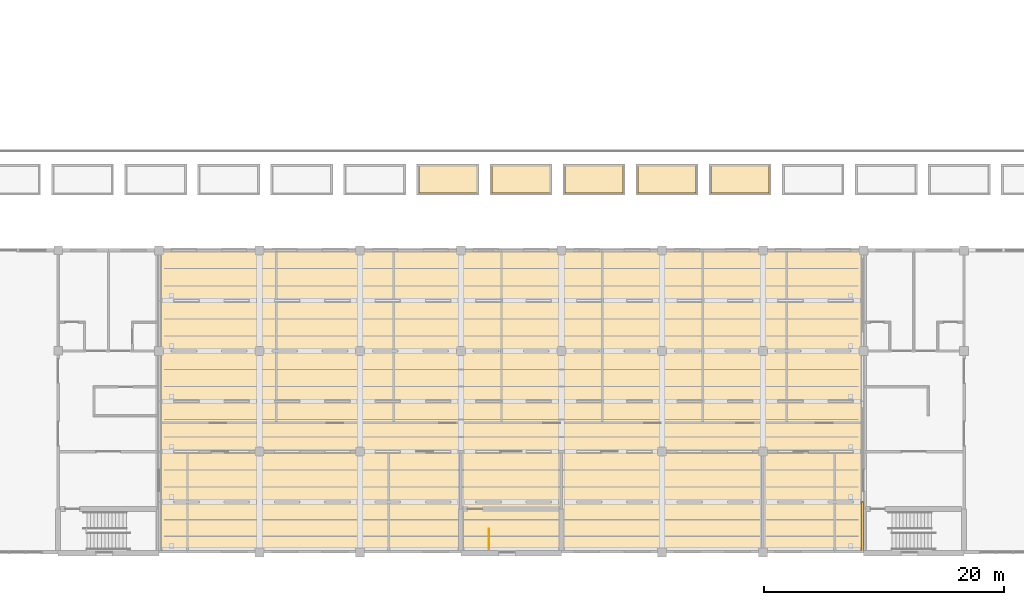
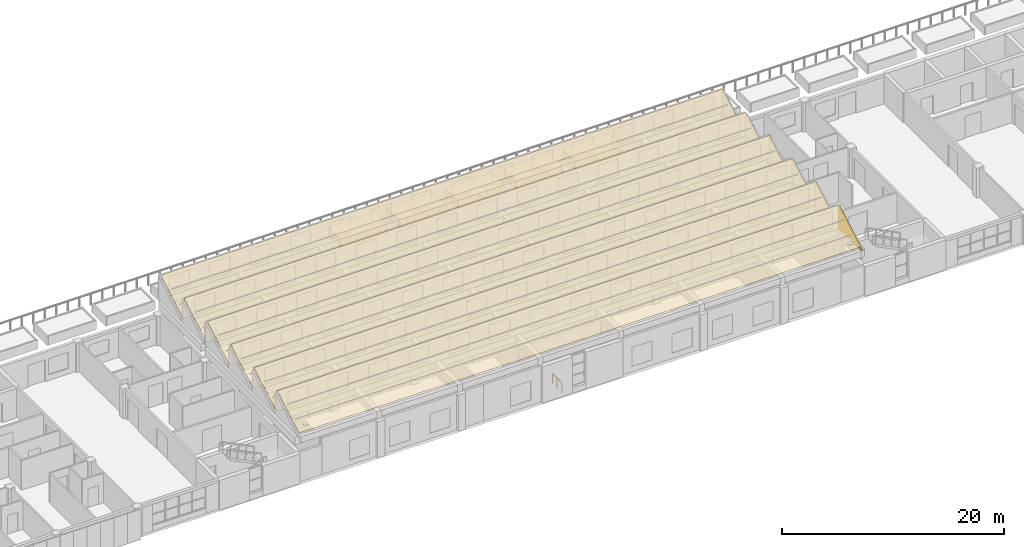
# One storey, part 56 of 61: 12 coverings, 1 railing.
"""IFC4 building model written with IfcOpenShell, lengths in metres."""

from ifc_helpers import new_model, si_unit, direction, frame, origin, origin_2d, place, context, subcontext, project, spatial, polyline, circle, outline, extrude, material, layer, layer_set, type_object, element, save


model = new_model("IFC4")

# Units and contexts
model_context = context("Model", 3, precision=1e-05, world=origin(), true_north=direction((0.0, 1.0)))
body_context = subcontext(model_context, "Body", "Model", "MODEL_VIEW")
ifc_project = project(units=[si_unit("LENGTHUNIT", "METRE"), si_unit("AREAUNIT", "SQUARE_METRE"), si_unit("VOLUMEUNIT", "CUBIC_METRE"), si_unit("PLANEANGLEUNIT", "RADIAN"), si_unit("MASSUNIT", "GRAM", prefix="KILO")], contexts=[model_context])

# Site, building, storey
site_placement = place(None, origin())
site = spatial("IfcSite", under=ifc_project, at=site_placement, CompositionType="ELEMENT")
building_placement = place(site_placement, origin())
building = spatial("IfcBuilding", under=site, at=building_placement, Name="Yavir Park General Hospital", CompositionType="ELEMENT")
storey_placement = place(building_placement, frame((0.0, 0.0, 15.300048828125)))
storey = spatial("IfcBuildingStorey", under=building, at=storey_placement, Name="L03", CompositionType="ELEMENT", Elevation=15.300048828125)

# Coverings
ifc_material_1 = material(Name="Glass-fibre reinforced concrete", Category="concrete")
ifc_layer_1 = layer(ifc_material_1, 0.14990234375)
ifc_layer_set_1 = layer_set([ifc_layer_1], Name="Glass-fibre reinforced concrete")
covering_type_1 = type_object("IfcCoveringType", Name="Gable end GFRC panel 150", PredefinedType="CLADDING", material=ifc_layer_set_1)
covering_1_placement = place(storey_placement, frame((100.800048828125, 0.0, 4.846923828125), z_axis=(1.0, 0.0, 0.0), x_axis=(0.0, 1.0, 0.0)))
element("IfcCovering", 1, at=covering_1_placement, inside=storey, type_object=covering_type_1, Name="Gable end panel SAW-E-T01", PredefinedType="CLADDING", context=body_context, shape_type="SweptSolid", body=[
    extrude(outline(polyline([(0.0, 0.0), (4.199951171875, 0.0), (4.199951171875, 2.400146484375), (0.0, 0.0)])), origin(), (0.0, 0.0, -1.0), 0.14990234375),
])
ifc_material_2 = material(Name="Green roof substrate")
ifc_layer_2 = layer(ifc_material_2, 0.89990234375)
ifc_layer_set_2 = layer_set([ifc_layer_2], Name="Green roof substrate")
covering_type_2 = type_object("IfcCoveringType", Name="Green roof substrate 900", PredefinedType="FLOORING", material=ifc_layer_set_2)
covering_2_placement = place(storey_placement, origin())
element("IfcCovering", 2, at=covering_2_placement, inside=storey, type_object=covering_type_2, Name="Planting bed substrate 7", PredefinedType="FLOORING", context=body_context, shape_type="SweptSolid", body=[
    extrude(outline(polyline([(63.69677734375, 29.97509765625), (68.546630859375, 29.97509765625), (68.546630859375, 32.22509765625), (63.69677734375, 32.22509765625), (63.69677734375, 29.97509765625)])), origin(), (0.0, 0.0, 1.0), 0.89990234375),
])
covering_3_placement = place(storey_placement, origin())
element("IfcCovering", 3, at=covering_3_placement, inside=storey, type_object=covering_type_2, Name="Planting bed substrate 8", PredefinedType="FLOORING", context=body_context, shape_type="SweptSolid", body=[
    extrude(outline(polyline([(69.79248046875, 29.97509765625), (74.642333984375, 29.97509765625), (74.642333984375, 32.22509765625), (69.79248046875, 32.22509765625), (69.79248046875, 29.97509765625)])), origin(), (0.0, 0.0, 1.0), 0.89990234375),
])
covering_4_placement = place(storey_placement, origin())
element("IfcCovering", 4, at=covering_4_placement, inside=storey, type_object=covering_type_2, Name="Planting bed substrate 9", PredefinedType="FLOORING", context=body_context, shape_type="SweptSolid", body=[
    extrude(outline(polyline([(75.887939453125, 29.97509765625), (80.738037109375, 29.97509765625), (80.738037109375, 32.22509765625), (75.887939453125, 32.22509765625), (75.887939453125, 29.97509765625)])), origin(), (0.0, 0.0, 1.0), 0.89990234375),
])
covering_5_placement = place(storey_placement, origin())
element("IfcCovering", 5, at=covering_5_placement, inside=storey, type_object=covering_type_2, Name="Planting bed substrate 10", PredefinedType="FLOORING", context=body_context, shape_type="SweptSolid", body=[
    extrude(outline(polyline([(81.983642578125, 29.97509765625), (86.833740234375, 29.97509765625), (86.833740234375, 32.22509765625), (81.983642578125, 32.22509765625), (81.983642578125, 29.97509765625)])), origin(), (0.0, 0.0, 1.0), 0.89990234375),
])
covering_6_placement = place(storey_placement, origin())
element("IfcCovering", 6, at=covering_6_placement, inside=storey, type_object=covering_type_2, Name="Planting bed substrate 11", PredefinedType="FLOORING", context=body_context, shape_type="SweptSolid", body=[
    extrude(outline(polyline([(88.079345703125, 29.97509765625), (92.92919921875, 29.97509765625), (92.92919921875, 32.22509765625), (88.079345703125, 32.22509765625), (88.079345703125, 29.97509765625)])), origin(), (0.0, 0.0, 1.0), 0.89990234375),
])
ifc_material_3 = material(Name="Bituminous roof membrane")
ifc_layer_3 = layer(ifc_material_3, 0.034912109375)
ifc_layer_set_3 = layer_set([ifc_layer_3], Name="Bituminous roof membrane")
covering_type_3 = type_object("IfcCoveringType", Name="Roof membrane and insulation 35", PredefinedType="ROOFING", material=ifc_layer_set_3)
covering_7_placement = place(storey_placement, frame((42.14990234375, 0.14990234375, 5.225830078125), z_axis=(0.0, -0.496150496087, 0.868236537605), x_axis=(1.0, 0.0, 0.0)))
element("IfcCovering", 7, at=covering_7_placement, inside=storey, type_object=covering_type_3, Name="Roofing SAW-T01", PredefinedType="ROOFING", context=body_context, shape_type="SweptSolid", body=[
    extrude(outline(polyline([(0.0, 0.0), (58.5, 0.0), (58.5, 4.549676431951208), (0.0, 4.549676431951208), (0.0, 0.0)])), origin(), (0.0, 0.0, -1.0), 0.034912109375),
])
for number, where, z_axis, x_axis, name in (
    (8, (42.14990234375, 4.199951171875, 5.14013671875), (0.0, -0.49615564103, 0.868233597527), (1.0, 0.0, 0.0), "Roofing SAW-T02"),
    (9, (42.14990234375, 8.39990234375, 5.14013671875), (0.0, -0.49615564103, 0.868233597527), (1.0, 0.0, 0.0), "Roofing SAW-T03"),
):
    element("IfcCovering", number, at=place(storey_placement, frame(where, z_axis=z_axis, x_axis=x_axis)), inside=storey, type_object=covering_type_3, Name=name, PredefinedType="ROOFING", context=body_context, shape_type="SweptSolid", body=[
        extrude(outline(polyline([(0.0, 0.0), (58.5, 0.0), (58.5, 4.722343926715787), (0.0, 4.722343926715787), (0.0, 0.0)])), origin(), (0.0, 0.0, -1.0), 0.034912109375),
    ])
for number, where, z_axis, x_axis, name in (
    (10, (42.14990234375, 12.60009765625, 5.14013671875), (0.0, -0.496177912725, 0.868220869896), (1.0, 0.0, 0.0), "Roofing SAW-T04"),
    (11, (42.14990234375, 16.800048828125, 5.14013671875), (0.0, -0.496177912725, 0.868220869896), (1.0, 0.0, 0.0), "Roofing SAW-T05"),
):
    element("IfcCovering", number, at=place(storey_placement, frame(where, z_axis=z_axis, x_axis=x_axis)), inside=storey, type_object=covering_type_3, Name=name, PredefinedType="ROOFING", context=body_context, shape_type="SweptSolid", body=[
        extrude(outline(polyline([(0.0, 0.0), (58.5, 0.0), (58.5, 4.7221319571762725), (0.0, 4.7221319571762725), (0.0, 0.0)])), origin(), (0.0, 0.0, -1.0), 0.034912109375),
    ])
covering_8_placement = place(storey_placement, frame((42.14990234375, 21.0, 5.14013671875), z_axis=(0.0, -0.49615564103, 0.868233597527), x_axis=(1.0, 0.0, 0.0)))
element("IfcCovering", 12, at=covering_8_placement, inside=storey, type_object=covering_type_3, Name="Roofing SAW-T06", PredefinedType="ROOFING", context=body_context, shape_type="SweptSolid", body=[
    extrude(outline(polyline([(0.0, 0.0), (58.5, 0.0), (58.5, 4.722343926715787), (0.0, 4.722343926715787), (0.0, 0.0)])), origin(), (0.0, 0.0, -1.0), 0.034912109375),
])

# Railing
ifc_material_4 = material(Name="Steel balustrade with infill rods", Category="steel")
railing_type = type_object("IfcRailingType", Name="Stair guard, steel balustrade 1100 mm", PredefinedType="GUARDRAIL", material=ifc_material_4)
railing_placement = place(storey_placement, frame((69.570068359375, 0.280029296875, 0.0)))
element("IfcRailing", 13, at=railing_placement, inside=storey, type_object=railing_type, Name="Stair well guard SU3 L03", PredefinedType="GUARDRAIL", context=body_context, shape_type="SweptSolid", body=[
    extrude(circle(Radius=0.02392578125, at=origin_2d()), frame((0.0, 0.0, 1.076171875), z_axis=(0.0, 1.0, 0.0), x_axis=(-1.0, 0.0, 0.0)), (0.0, 0.0, 1.0), 1.669921875),
    extrude(circle(Radius=0.02099609375, at=origin_2d()), origin(), (0.0, 0.0, 1.0), 1.052001953125),
    extrude(circle(Radius=0.02099609375, at=origin_2d()), frame((0.0, 0.8349609375, 0.0)), (0.0, 0.0, 1.0), 1.052001953125),
    extrude(circle(Radius=0.02099609375, at=origin_2d()), frame((0.0, 1.669921875, 0.0)), (0.0, 0.0, 1.0), 1.052001953125),
])

save(model, "model.ifc")
